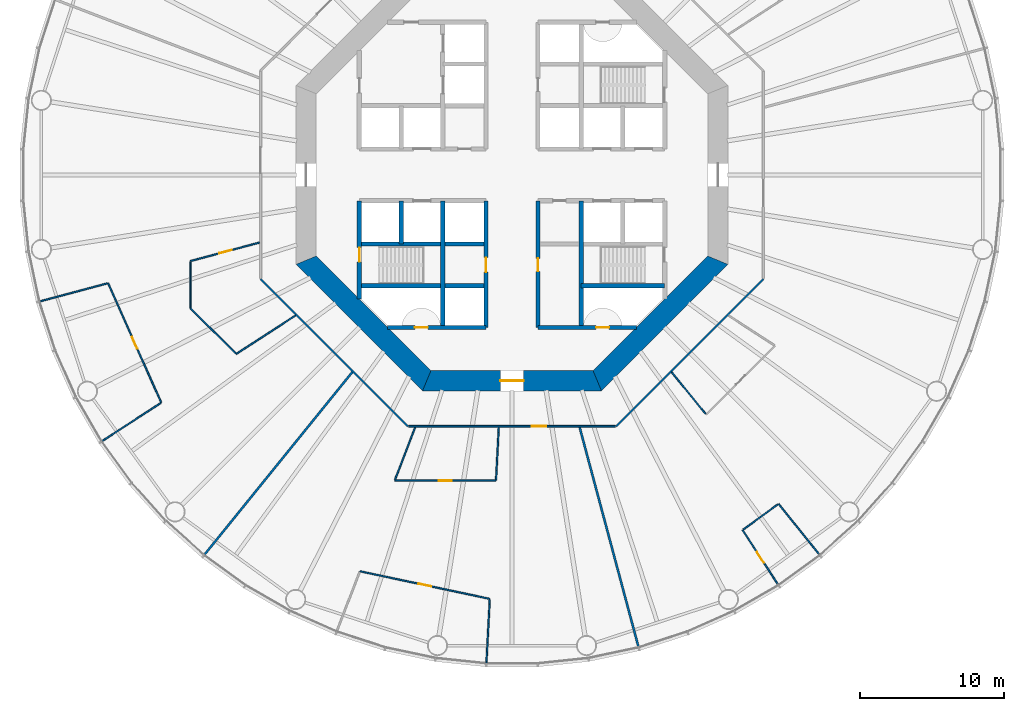
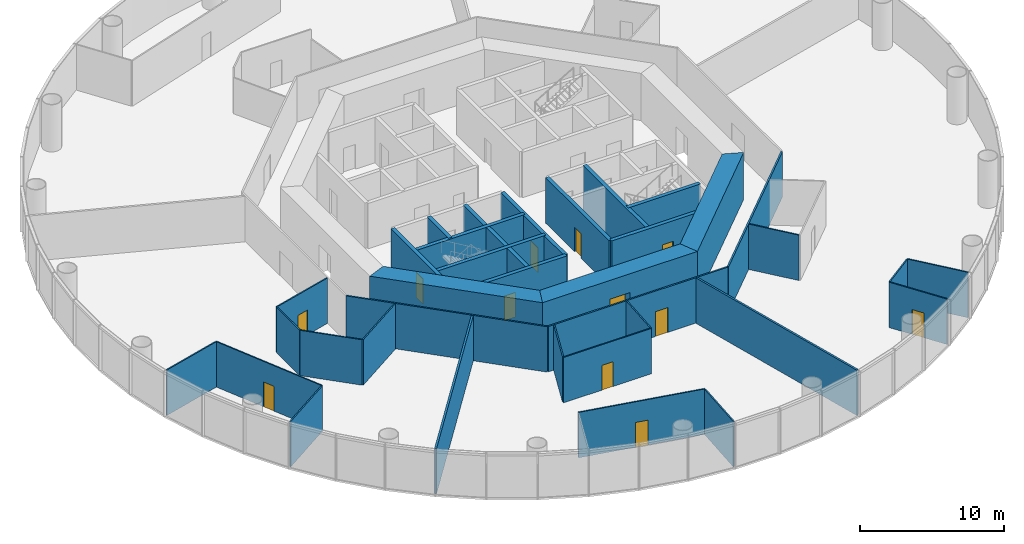
# One storey, part 3 of 13: 35 walls, 12 doors, 12 openings.
"""IFC4 building model written with IfcOpenShell, lengths in metres."""

import ifcopenshell
import ifcopenshell.guid

model = None  # the IFC model being written
_history = None  # IfcOwnerHistory: only IFC2X3 demands one
_inside = {}  # id of a spatial element -> (the spatial element, [elements in it])
_under = {}  # id of a project, library or spatial element -> (it, [spatial elements below it])
_declared = {}  # id of a project -> (the project, [libraries it declares])
_typed = {}  # id of a type object -> (the type object, [elements of that type])
_made_of = {}  # id of a material, layer set ... -> (it, [elements and type objects made of it])


def new_model(schema):
    """Start an empty IFC model of exactly this schema.

    Asked for "IFC4X3", IfcOpenShell would pick the latest addendum, in which some entities
    have other attributes; the version numbers below select the first issue.
    IFC2X3 requires an IfcOwnerHistory on every rooted entity: one is made here for all.
    """
    global model, _history
    if schema == "IFC4X3":
        model = ifcopenshell.file(schema_version=(4, 3, 0, 0))
    else:
        model = ifcopenshell.file(schema=schema)
    _inside.clear()
    _under.clear()
    _declared.clear()
    _typed.clear()
    _made_of.clear()
    _history = None
    if model.schema == "IFC2X3":
        org = make("IfcOrganization", Name="unknown")
        user = make(
            "IfcPersonAndOrganization",
            ThePerson=make("IfcPerson", FamilyName="unknown"),
            TheOrganization=org,
        )
        app = make(
            "IfcApplication",
            ApplicationDeveloper=org,
            Version="unknown",
            ApplicationFullName="unknown",
            ApplicationIdentifier="unknown",
        )
        _history = make(
            "IfcOwnerHistory",
            OwningUser=user,
            OwningApplication=app,
            ChangeAction="ADDED",
            CreationDate=0,
        )
    return model


def make(cls, **values):
    """One entity of the class cls with the attributes given. An attribute that is None is left unset."""
    return model.create_entity(
        cls, **{name: value for name, value in values.items() if value is not None}
    )


def rooted(cls, **values):
    """An entity with a GlobalId (a new one), such as an element, a storey or a relation."""
    return make(cls, GlobalId=ifcopenshell.guid.new(), OwnerHistory=_history, **values)


def si_unit(unit_type, name, prefix=None):
    """IfcSIUnit, for example si_unit("LENGTHUNIT", "METRE", prefix="MILLI")."""
    return make("IfcSIUnit", UnitType=unit_type, Prefix=prefix, Name=name)


def assignment(units):
    """IfcUnitAssignment: the units of a project."""
    return None if units is None else make("IfcUnitAssignment", Units=units)


def point(xyz):
    """IfcCartesianPoint."""
    return None if xyz is None else make("IfcCartesianPoint", Coordinates=xyz)


def direction(xyz):
    """IfcDirection."""
    return None if xyz is None else make("IfcDirection", DirectionRatios=xyz)


def frame(location, z_axis=None, x_axis=None):
    """IfcAxis2Placement3D, a coordinate frame: its origin and axes. An axis left out is left unset."""
    return make(
        "IfcAxis2Placement3D",
        Location=point(location),
        Axis=direction(z_axis),
        RefDirection=direction(x_axis),
    )


def frame_2d(location, x_axis=None):
    """IfcAxis2Placement2D, a coordinate frame in the plane: its origin and x axis."""
    return make(
        "IfcAxis2Placement2D", Location=point(location), RefDirection=direction(x_axis)
    )


def origin():
    """The frame at (0, 0, 0) with its axes left unset."""
    return frame((0.0, 0.0, 0.0))


def place(relative_to, where):
    """IfcLocalPlacement: puts the frame where relative to a parent placement (None: the world)."""
    return make(
        "IfcLocalPlacement", PlacementRelTo=relative_to, RelativePlacement=where
    )


def context(
    kind, dimensions, precision=None, world=None, true_north=None, identifier=None
):
    """IfcGeometricRepresentationContext, for example the 3D "Model" context."""
    return make(
        "IfcGeometricRepresentationContext",
        ContextIdentifier=identifier,
        ContextType=kind,
        CoordinateSpaceDimension=dimensions,
        Precision=precision,
        WorldCoordinateSystem=world,
        TrueNorth=true_north,
    )


def subcontext(parent, identifier, kind, view, scale=None):
    """IfcGeometricRepresentationSubContext, for example "Body" below "Model"."""
    return make(
        "IfcGeometricRepresentationSubContext",
        ContextIdentifier=identifier,
        ContextType=kind,
        ParentContext=parent,
        TargetScale=scale,
        TargetView=view,
    )


def project(units=None, contexts=None):
    """IfcProject with its units and contexts."""
    return rooted(
        "IfcProject",
        Name="project",
        RepresentationContexts=contexts,
        UnitsInContext=assignment(units),
    )


def spatial(cls, under=None, at=None, **own):
    """A site, building, storey or space (cls), placed at a placement, below another one or the project."""
    s = rooted(cls, ObjectPlacement=at, **own)
    if under is not None:
        _under.setdefault(under.id(), (under, []))[1].append(s)
    return s


def polyline(points):
    """IfcPolyline through the points."""
    return make("IfcPolyline", Points=[point(p) for p in points])


def profile(cls, at=None, kind="AREA", **sizes):
    """A parametric profile (cls). Its sizes go by their IFC names, for example OverallWidth=200.0."""
    return make(cls, ProfileType=kind, Position=at, **sizes)


def rectangle(**sizes):
    """IfcRectangleProfileDef."""
    return profile("IfcRectangleProfileDef", **sizes)


def outline(outer, holes=None, kind="AREA"):
    """IfcArbitraryClosedProfileDef: a profile drawn as a closed curve; with holes, ...WithVoids."""
    if holes is None:
        return make("IfcArbitraryClosedProfileDef", ProfileType=kind, OuterCurve=outer)
    return make(
        "IfcArbitraryProfileDefWithVoids",
        ProfileType=kind,
        OuterCurve=outer,
        InnerCurves=holes,
    )


def extrude(swept, where, along, depth):
    """IfcExtrudedAreaSolid: the profile swept, set in the frame where, extruded along a direction by depth."""
    return make(
        "IfcExtrudedAreaSolid",
        SweptArea=swept,
        Position=where,
        ExtrudedDirection=direction(along),
        Depth=depth,
    )


def shape(context_of_items, identifier, shape_type, items):
    """IfcShapeRepresentation: the items that make up one representation, for example the "Body"."""
    return make(
        "IfcShapeRepresentation",
        ContextOfItems=context_of_items,
        RepresentationIdentifier=identifier,
        RepresentationType=shape_type,
        Items=items,
    )


def material(Name=None, Category=None):
    """IfcMaterial."""
    return make("IfcMaterial", Name=Name, Category=Category)


def layer(
    of_material, thickness, ventilated=None, Name=None, Category=None, Priority=None
):
    """IfcMaterialLayer: one layer of a wall or slab, of a material (None: an air gap)."""
    return make(
        "IfcMaterialLayer",
        Material=of_material,
        LayerThickness=thickness,
        IsVentilated=ventilated,
        Name=Name,
        Category=Category,
        Priority=Priority,
    )


def layer_set(layers, Name=None):
    """IfcMaterialLayerSet."""
    return make("IfcMaterialLayerSet", MaterialLayers=layers, LayerSetName=Name)


def made_of(thing, what):
    """Note that an element or type object is made of a material, layer set ...; save() writes the relation."""
    if what is not None:
        _made_of.setdefault(what.id(), (what, []))[1].append(thing)
    return thing


def type_object(cls, material=None, **own):
    """A type object (cls), such as IfcWallType, which elements share."""
    return made_of(rooted(cls, **own), material)


def element(
    cls,
    number,
    at=None,
    inside=None,
    cuts=None,
    type_object=None,
    material=None,
    context=None,
    identifier="Body",
    shape_type=None,
    held_by="IfcProductDefinitionShape",
    body=None,
    shapes=None,
    **own,
):
    """One element of the class cls, such as IfcWall. Its Tag is "e" and its number.

    at: its placement. inside: the storey or other place that contains it. cuts: it is an
    opening in that element (IfcRelVoidsElement). A single representation is given by context,
    identifier, shape_type and body (its items); several are given by shapes. held_by: the class
    of the entity that holds the representations. save() writes the other relations.
    """
    e = rooted(cls, Tag="e%d" % number, ObjectPlacement=at, **own)
    if body is not None:
        shapes = [shape(context, identifier, shape_type, body)]
    if shapes is not None:
        e.Representation = make(held_by, Representations=shapes)
    if inside is not None:
        _inside.setdefault(inside.id(), (inside, []))[1].append(e)
    if cuts is not None:
        rooted(
            "IfcRelVoidsElement", RelatingBuildingElement=cuts, RelatedOpeningElement=e
        )
    if type_object is not None:
        _typed.setdefault(type_object.id(), (type_object, []))[1].append(e)
    return made_of(e, material)


def fill(opening, filler):
    """IfcRelFillsElement: the door or window that sits in an opening."""
    return rooted(
        "IfcRelFillsElement",
        RelatingOpeningElement=opening,
        RelatedBuildingElement=filler,
    )


def aggregate(whole, parts):
    """IfcRelAggregates: a whole, such as a stair, and the parts it consists of."""
    return rooted("IfcRelAggregates", RelatingObject=whole, RelatedObjects=parts)


def save(model, path):
    """Write the relations noted so far, then the file.

    IfcRelAggregates (storeys below a building ...), IfcRelContainedInSpatialStructure (elements
    in a storey), IfcRelDefinesByType, IfcRelAssociatesMaterial and IfcRelDeclares: one each for
    every whole, place, type object, material and project.
    """
    for whole, parts in _under.values():
        aggregate(whole, parts)
    for where, things in _inside.values():
        rooted(
            "IfcRelContainedInSpatialStructure",
            RelatedElements=things,
            RelatingStructure=where,
        )
    for kind, things in _typed.values():
        rooted("IfcRelDefinesByType", RelatedObjects=things, RelatingType=kind)
    for what, things in _made_of.values():
        rooted("IfcRelAssociatesMaterial", RelatedObjects=things, RelatingMaterial=what)
    for by, libraries in _declared.values():
        rooted("IfcRelDeclares", RelatingContext=by, RelatedDefinitions=libraries)
    model.write(path)


model = new_model("IFC4")

# Units and contexts
model_context = context("Model", 3, precision=1e-05, world=origin(), true_north=direction((0.0, 1.0)))
body_context = subcontext(model_context, "Body", "Model", "MODEL_VIEW")
ifc_project = project(units=[si_unit("LENGTHUNIT", "METRE"), si_unit("AREAUNIT", "SQUARE_METRE"), si_unit("VOLUMEUNIT", "CUBIC_METRE"), si_unit("PLANEANGLEUNIT", "RADIAN"), si_unit("MASSUNIT", "GRAM", prefix="KILO")], contexts=[model_context])

# Site, building, storey
site_placement = place(None, origin())
site = spatial("IfcSite", under=ifc_project, at=site_placement, CompositionType="ELEMENT")
building_placement = place(site_placement, origin())
building = spatial("IfcBuilding", under=site, at=building_placement, Name="Entoto Ring Tower", CompositionType="ELEMENT")
storey_placement = place(building_placement, frame((0.0, 0.0, 26.0)))
storey = spatial("IfcBuildingStorey", under=building, at=storey_placement, Name="L04", CompositionType="ELEMENT", Elevation=26.0)

# Wall
ifc_material_1 = material(Name="Concrete C40/50", Category="concrete")
ifc_layer_1 = layer(ifc_material_1, 0.300048828125)
ifc_layer_set_1 = layer_set([ifc_layer_1], Name="Concrete C40/50")
wall_type_1 = type_object("IfcWallType", Name="Core enclosure wall 300 mm reinforced concrete", PredefinedType="SOLIDWALL", material=ifc_layer_set_1)
wall_1_placement = place(storey_placement, frame((94.800048828125, 69.39990234375, 0.0), z_axis=(0.0, 0.0, 1.0), x_axis=(0.0, 1.0, 0.0)))
element("IfcWall", 1, at=wall_1_placement, inside=storey, type_object=wall_type_1, Name="wall-L04-005", PredefinedType="SOLIDWALL", context=body_context, shape_type="SweptSolid", body=[
    extrude(rectangle(XDim=8.800048828125, YDim=0.300048828125, at=frame_2d((4.39990234375, 0.0))), origin(), (0.0, 0.0, 1.0), 3.85009765625),
])

# Wall, opening, door
wall_2_placement = place(storey_placement, frame((91.800048828125, 69.39990234375, 0.0), z_axis=(0.0, 0.0, 1.0), x_axis=(0.0, 1.0, 0.0)))
wall_2 = element("IfcWall", 2, at=wall_2_placement, inside=storey, type_object=wall_type_1, Name="wall-L04-007", PredefinedType="SOLIDWALL", context=body_context, shape_type="SweptSolid", body=[
    extrude(rectangle(XDim=8.800048828125, YDim=0.300048828125, at=frame_2d((4.39990234375, 0.0))), origin(), (0.0, 0.0, 1.0), 3.85009765625),
])
opening_1_placement = place(wall_2_placement, frame((3.89990234375, 0.0, 0.0)))
opening_1 = element("IfcOpeningElement", 3, at=opening_1_placement, cuts=wall_2, Name="Opening K-12", PredefinedType="OPENING", context=body_context, shape_type="SweptSolid", body=[
    extrude(rectangle(XDim=0.89990234375, YDim=2.10009765625, at=frame_2d((0.449951171875, 1.050048828125))), frame((0.0, 0.16015625, 0.0), z_axis=(0.0, -1.0, 0.0), x_axis=(1.0, 0.0, 0.0)), (0.0, 0.0, 1.0), 0.320068359375),
])
ifc_material_2 = material(Name="Steel door leaf, fire rated", Category="steel")
ifc_layer_2 = layer(ifc_material_2, 0.050048828125)
ifc_layer_set_2 = layer_set([ifc_layer_2], Name="Steel door leaf, fire rated")
door_type_1 = type_object("IfcDoorType", Name="Core door 900 x 2100 single leaf", OperationType="NOTDEFINED", PredefinedType="DOOR", material=ifc_layer_set_2)
door_1_placement = place(opening_1_placement, frame((0.89990234375, 0.0, 0.0), z_axis=(0.0, 0.0, 1.0), x_axis=(-1.0, 0.0, 0.0)))
door_1 = element("IfcDoor", 4, at=door_1_placement, inside=storey, type_object=door_type_1, Name="Door K-12", OperationType="SINGLE_SWING_LEFT", OverallHeight=2.10009765625, OverallWidth=0.89990234375, PredefinedType="DOOR", context=body_context, shape_type="SweptSolid", body=[
    extrude(rectangle(XDim=0.89990234375, YDim=2.10009765625, at=frame_2d((0.449951171875, 1.050048828125))), frame((0.0, 0.02490234375, 0.0), z_axis=(0.0, -1.0, 0.0), x_axis=(1.0, 0.0, 0.0)), (0.0, 0.0, 1.0), 0.050048828125),
])
fill(opening_1, door_1)

wall_3_placement = place(storey_placement, frame((88.199951171875, 69.39990234375, 0.0), z_axis=(0.0, 0.0, 1.0), x_axis=(0.0, 1.0, 0.0)))
wall_3 = element("IfcWall", 5, at=wall_3_placement, inside=storey, type_object=wall_type_1, Name="wall-L04-009", PredefinedType="SOLIDWALL", context=body_context, shape_type="SweptSolid", body=[
    extrude(rectangle(XDim=8.800048828125, YDim=0.300048828125, at=frame_2d((4.39990234375, 0.0))), origin(), (0.0, 0.0, 1.0), 3.85009765625),
])
opening_2_placement = place(wall_3_placement, frame((3.85009765625, 0.0, 0.0)))
opening_2 = element("IfcOpeningElement", 6, at=opening_2_placement, cuts=wall_3, Name="Opening K-13", PredefinedType="OPENING", context=body_context, shape_type="SweptSolid", body=[
    extrude(rectangle(XDim=1.0, YDim=2.10009765625, at=frame_2d((0.5, 1.050048828125))), frame((0.0, 0.16015625, 0.0), z_axis=(0.0, -1.0, 0.0), x_axis=(1.0, 0.0, 0.0)), (0.0, 0.0, 1.0), 0.320068359375),
])
ifc_material_3 = material(Name="Steel door leaf, fire rated", Category="steel")
ifc_layer_3 = layer(ifc_material_3, 0.050048828125)
ifc_layer_set_3 = layer_set([ifc_layer_3], Name="Steel door leaf, fire rated")
door_type_2 = type_object("IfcDoorType", Name="Accessible door 1000 x 2100 single leaf", OperationType="NOTDEFINED", PredefinedType="DOOR", material=ifc_layer_set_3)
door_2_placement = place(opening_2_placement, origin())
door_2 = element("IfcDoor", 7, at=door_2_placement, inside=storey, type_object=door_type_2, Name="Door K-13", OperationType="SINGLE_SWING_LEFT", OverallHeight=2.10009765625, OverallWidth=1.0, PredefinedType="DOOR", context=body_context, shape_type="SweptSolid", body=[
    extrude(rectangle(XDim=1.0, YDim=2.10009765625, at=frame_2d((0.5, 1.050048828125))), frame((0.0, 0.02490234375, 0.0), z_axis=(0.0, -1.0, 0.0), x_axis=(1.0, 0.0, 0.0)), (0.0, 0.0, 1.0), 0.050048828125),
])
fill(opening_2, door_2)

# Walls
wall_4_placement = place(storey_placement, frame((85.199951171875, 69.39990234375, 0.0), z_axis=(0.0, 0.0, 1.0), x_axis=(0.0, 1.0, 0.0)))
element("IfcWall", 8, at=wall_4_placement, inside=storey, type_object=wall_type_1, Name="wall-L04-011", PredefinedType="SOLIDWALL", context=body_context, shape_type="SweptSolid", body=[
    extrude(rectangle(XDim=8.800048828125, YDim=0.300048828125, at=frame_2d((4.39990234375, 0.0))), origin(), (0.0, 0.0, 1.0), 3.85009765625),
])
wall_5_placement = place(storey_placement, frame((82.300048828125, 75.199951171875, 0.0), z_axis=(0.0, 0.0, 1.0), x_axis=(0.0, 1.0, 0.0)))
element("IfcWall", 9, at=wall_5_placement, inside=storey, type_object=wall_type_1, Name="wall-L04-013", PredefinedType="SOLIDWALL", context=body_context, shape_type="SweptSolid", body=[
    extrude(rectangle(XDim=3.0, YDim=0.300048828125, at=frame_2d((1.5, 0.0))), origin(), (0.0, 0.0, 1.0), 3.85009765625),
])

# Wall, opening, door
wall_6_placement = place(storey_placement, frame((79.39990234375, 71.36669921875, 0.0), z_axis=(0.0, 0.0, 1.0), x_axis=(0.0, 1.0, 0.0)))
wall_6 = element("IfcWall", 10, at=wall_6_placement, inside=storey, type_object=wall_type_1, Name="wall-L04-015", PredefinedType="SOLIDWALL", context=body_context, shape_type="SweptSolid", body=[
    extrude(rectangle(XDim=6.833251953125, YDim=0.300048828125, at=frame_2d((3.41650390625, 0.0))), origin(), (0.0, 0.0, 1.0), 3.85009765625),
])
opening_3_placement = place(wall_6_placement, frame((2.583251953125, 0.0, 0.0)))
opening_3 = element("IfcOpeningElement", 11, at=opening_3_placement, cuts=wall_6, Name="Opening K-17", PredefinedType="OPENING", context=body_context, shape_type="SweptSolid", body=[
    extrude(rectangle(XDim=1.0, YDim=2.10009765625, at=frame_2d((0.5, 1.050048828125))), frame((0.0, 0.16015625, 0.0), z_axis=(0.0, -1.0, 0.0), x_axis=(1.0, 0.0, 0.0)), (0.0, 0.0, 1.0), 0.320068359375),
])
ifc_material_4 = material(Name="Steel door leaf, fire rated", Category="steel")
ifc_layer_4 = layer(ifc_material_4, 0.050048828125)
ifc_layer_set_4 = layer_set([ifc_layer_4], Name="Steel door leaf, fire rated")
door_type_3 = type_object("IfcDoorType", Name="Fire door FD60 1000 x 2100 single leaf", OperationType="NOTDEFINED", PredefinedType="DOOR", material=ifc_layer_set_4)
door_3_placement = place(opening_3_placement, frame((1.0, 0.0, 0.0), z_axis=(0.0, 0.0, 1.0), x_axis=(-1.0, 0.0, 0.0)))
door_3 = element("IfcDoor", 12, at=door_3_placement, inside=storey, type_object=door_type_3, Name="Door K-17", OperationType="SINGLE_SWING_LEFT", OverallHeight=2.10009765625, OverallWidth=1.0, PredefinedType="DOOR", context=body_context, shape_type="SweptSolid", body=[
    extrude(rectangle(XDim=1.0, YDim=2.10009765625, at=frame_2d((0.5, 1.050048828125))), frame((0.0, 0.02490234375, 0.0), z_axis=(0.0, -1.0, 0.0), x_axis=(1.0, 0.0, 0.0)), (0.0, 0.0, 1.0), 0.050048828125),
])
fill(opening_3, door_3)

wall_7_placement = place(storey_placement, frame((81.36669921875, 69.39990234375, 0.0), z_axis=(0.0, 0.0, 1.0), x_axis=(1.0, 0.0, 0.0)))
wall_7 = element("IfcWall", 13, at=wall_7_placement, inside=storey, type_object=wall_type_1, Name="wall-L04-017", PredefinedType="SOLIDWALL", context=body_context, shape_type="SweptSolid", body=[
    extrude(rectangle(XDim=6.833251953125, YDim=0.300048828125, at=frame_2d((3.41650390625, 0.0))), origin(), (0.0, 0.0, 1.0), 3.85009765625),
])
opening_4_placement = place(wall_7_placement, frame((1.88330078125, 0.0, 0.0)))
opening_4 = element("IfcOpeningElement", 14, at=opening_4_placement, cuts=wall_7, Name="Opening K-20", PredefinedType="OPENING", context=body_context, shape_type="SweptSolid", body=[
    extrude(rectangle(XDim=0.89990234375, YDim=2.10009765625, at=frame_2d((0.449951171875, 1.050048828125))), frame((0.0, 0.16015625, 0.0), z_axis=(0.0, -1.0, 0.0), x_axis=(1.0, 0.0, 0.0)), (0.0, 0.0, 1.0), 0.320068359375),
])
ifc_material_5 = material(Name="Steel door leaf, fire rated", Category="steel")
ifc_layer_5 = layer(ifc_material_5, 0.050048828125)
ifc_layer_set_5 = layer_set([ifc_layer_5], Name="Steel door leaf, fire rated")
door_type_4 = type_object("IfcDoorType", Name="Riser door FD60 900 x 2100 single leaf", OperationType="NOTDEFINED", PredefinedType="DOOR", material=ifc_layer_set_5)
door_4_placement = place(opening_4_placement, origin())
door_4 = element("IfcDoor", 15, at=door_4_placement, inside=storey, type_object=door_type_4, Name="Door K-20", OperationType="SINGLE_SWING_RIGHT", OverallHeight=2.10009765625, OverallWidth=0.89990234375, PredefinedType="DOOR", context=body_context, shape_type="SweptSolid", body=[
    extrude(rectangle(XDim=0.89990234375, YDim=2.10009765625, at=frame_2d((0.449951171875, 1.050048828125))), frame((0.0, 0.02490234375, 0.0), z_axis=(0.0, -1.0, 0.0), x_axis=(1.0, 0.0, 0.0)), (0.0, 0.0, 1.0), 0.050048828125),
])
fill(opening_4, door_4)

wall_8_placement = place(storey_placement, frame((91.800048828125, 69.39990234375, 0.0), z_axis=(0.0, 0.0, 1.0), x_axis=(1.0, 0.0, 0.0)))
wall_8 = element("IfcWall", 16, at=wall_8_placement, inside=storey, type_object=wall_type_1, Name="wall-L04-018", PredefinedType="SOLIDWALL", context=body_context, shape_type="SweptSolid", body=[
    extrude(rectangle(XDim=6.833251953125, YDim=0.300048828125, at=frame_2d((3.41650390625, 0.0))), origin(), (0.0, 0.0, 1.0), 3.85009765625),
])
opening_5_placement = place(wall_8_placement, frame((4.050048828125, 0.0, 0.0)))
opening_5 = element("IfcOpeningElement", 17, at=opening_5_placement, cuts=wall_8, Name="Opening K-66", PredefinedType="OPENING", context=body_context, shape_type="SweptSolid", body=[
    extrude(rectangle(XDim=0.89990234375, YDim=2.10009765625, at=frame_2d((0.449951171875, 1.050048828125))), frame((0.0, 0.16015625, 0.0), z_axis=(0.0, -1.0, 0.0), x_axis=(1.0, 0.0, 0.0)), (0.0, 0.0, 1.0), 0.320068359375),
])
door_5_placement = place(opening_5_placement, origin())
door_5 = element("IfcDoor", 18, at=door_5_placement, inside=storey, type_object=door_type_4, Name="Door K-66", OperationType="SINGLE_SWING_LEFT", OverallHeight=2.10009765625, OverallWidth=0.89990234375, PredefinedType="DOOR", context=body_context, shape_type="SweptSolid", body=[
    extrude(rectangle(XDim=0.89990234375, YDim=2.10009765625, at=frame_2d((0.449951171875, 1.050048828125))), frame((0.0, 0.02490234375, 0.0), z_axis=(0.0, -1.0, 0.0), x_axis=(1.0, 0.0, 0.0)), (0.0, 0.0, 1.0), 0.050048828125),
])
fill(opening_5, door_5)

# Walls
wall_9_placement = place(storey_placement, frame((79.39990234375, 72.300048828125, 0.0), z_axis=(0.0, 0.0, 1.0), x_axis=(1.0, 0.0, 0.0)))
element("IfcWall", 19, at=wall_9_placement, inside=storey, type_object=wall_type_1, Name="wall-L04-019", PredefinedType="SOLIDWALL", context=body_context, shape_type="SweptSolid", body=[
    extrude(rectangle(XDim=8.800048828125, YDim=0.300048828125, at=frame_2d((4.39990234375, 0.0))), origin(), (0.0, 0.0, 1.0), 3.85009765625),
])
wall_10_placement = place(storey_placement, frame((94.800048828125, 72.300048828125, 0.0), z_axis=(0.0, 0.0, 1.0), x_axis=(1.0, 0.0, 0.0)))
element("IfcWall", 20, at=wall_10_placement, inside=storey, type_object=wall_type_1, Name="wall-L04-020", PredefinedType="SOLIDWALL", context=body_context, shape_type="SweptSolid", body=[
    extrude(rectangle(XDim=5.800048828125, YDim=0.300048828125, at=frame_2d((2.89990234375, 0.0))), origin(), (0.0, 0.0, 1.0), 3.85009765625),
])
wall_11_placement = place(storey_placement, frame((79.39990234375, 75.199951171875, 0.0), z_axis=(0.0, 0.0, 1.0), x_axis=(1.0, 0.0, 0.0)))
element("IfcWall", 21, at=wall_11_placement, inside=storey, type_object=wall_type_1, Name="wall-L04-021", PredefinedType="SOLIDWALL", context=body_context, shape_type="SweptSolid", body=[
    extrude(rectangle(XDim=8.800048828125, YDim=0.300048828125, at=frame_2d((4.39990234375, 0.0))), origin(), (0.0, 0.0, 1.0), 3.85009765625),
])
ifc_material_6 = material(Name="Concrete C60/75", Category="concrete")
ifc_layer_6 = layer(ifc_material_6, 1.39990234375)
ifc_layer_set_6 = layer_set([ifc_layer_6], Name="Concrete C60/75")
wall_type_2 = type_object("IfcWallType", Name="Core shear wall 1400 mm reinforced concrete C60/75", PredefinedType="SHEAR", material=ifc_layer_set_6)
wall_12_placement = place(storey_placement, frame((75.699951171875, 74.07666015625, 0.0), z_axis=(0.0, 0.0, 1.0), x_axis=(0.707106781187, -0.707106781187, 0.0)))
element("IfcWall", 22, at=wall_12_placement, inside=storey, type_object=wall_type_2, Name="wall-L04-core-5", PredefinedType="SHEAR", context=body_context, shape_type="SweptSolid", body=[
    extrude(outline(polyline([(-0.2900390625, -0.699951171875), (12.136474609375, -0.699951171875), (11.556396484375, 0.699951171875), (0.2900390625, 0.699951171875), (-0.2900390625, -0.699951171875)])), origin(), (0.0, 0.0, 1.0), 4.0),
])

# Wall, opening, door
wall_13_placement = place(storey_placement, frame((84.07666015625, 65.699951171875, 0.0), z_axis=(0.0, 0.0, 1.0), x_axis=(1.0, 0.0, 0.0)))
wall_13 = element("IfcWall", 23, at=wall_13_placement, inside=storey, type_object=wall_type_2, Name="wall-L04-core-6", PredefinedType="SHEAR", context=body_context, shape_type="SweptSolid", body=[
    extrude(outline(polyline([(-0.2900390625, -0.699951171875), (12.13671875, -0.699951171875), (11.556640625, 0.699951171875), (0.2900390625, 0.699951171875), (-0.2900390625, -0.699951171875)])), origin(), (0.0, 0.0, 1.0), 4.0),
])
opening_6_placement = place(wall_13_placement, frame((5.123291015625, 0.0, 0.0)))
opening_6 = element("IfcOpeningElement", 24, at=opening_6_placement, cuts=wall_13, Name="Opening K-04", PredefinedType="OPENING", context=body_context, shape_type="SweptSolid", body=[
    extrude(rectangle(XDim=1.60009765625, YDim=2.39990234375, at=frame_2d((0.800048828125, 1.199951171875))), frame((0.0, 0.7099609375, 0.0), z_axis=(0.0, -1.0, 0.0), x_axis=(1.0, 0.0, 0.0)), (0.0, 0.0, 1.0), 1.419921875),
])
ifc_material_7 = material(Name="Steel door leaf, fire rated", Category="steel")
ifc_layer_7 = layer(ifc_material_7, 0.050048828125)
ifc_layer_set_7 = layer_set([ifc_layer_7], Name="Steel door leaf, fire rated")
door_type_5 = type_object("IfcDoorType", Name="Entrance door FD60 1600 x 2400 double leaf", OperationType="DOUBLE_DOOR_SINGLE_SWING", PredefinedType="DOOR", material=ifc_layer_set_7)
door_6_placement = place(opening_6_placement, origin())
door_6 = element("IfcDoor", 25, at=door_6_placement, inside=storey, type_object=door_type_5, Name="Entrance door K-04", OperationType="DOUBLE_DOOR_SINGLE_SWING", OverallHeight=2.39990234375, OverallWidth=1.60009765625, PredefinedType="DOOR", context=body_context, shape_type="SweptSolid", body=[
    extrude(rectangle(XDim=1.60009765625, YDim=2.39990234375, at=frame_2d((0.800048828125, 1.199951171875))), frame((0.0, 0.02490234375, 0.0), z_axis=(0.0, -1.0, 0.0), x_axis=(1.0, 0.0, 0.0)), (0.0, 0.0, 1.0), 0.050048828125),
])
fill(opening_6, door_6)

# Walls
wall_14_placement = place(storey_placement, frame((95.92333984375, 65.699951171875, 0.0), z_axis=(0.0, 0.0, 1.0), x_axis=(0.707106781187, 0.707106781187, 0.0)))
element("IfcWall", 26, at=wall_14_placement, inside=storey, type_object=wall_type_2, Name="wall-L04-core-7", PredefinedType="SHEAR", context=body_context, shape_type="SweptSolid", body=[
    extrude(outline(polyline([(-0.2900390625, -0.699951171875), (12.136474609375, -0.699951171875), (11.556396484375, 0.699951171875), (0.2900390625, 0.699951171875), (-0.2900390625, -0.699951171875)])), origin(), (0.0, 0.0, 1.0), 4.0),
])
ifc_material_8 = material(Name="Fire-resisting plasterboard on steel studs", Category="steel")
ifc_layer_8 = layer(ifc_material_8, 0.125)
ifc_layer_set_8 = layer_set([ifc_layer_8], Name="Fire-resisting plasterboard on steel studs")
wall_type_3 = type_object("IfcWallType", Name="Corridor wall 125 mm one-hour plasterboard on steel studs", PredefinedType="PARTITIONING", material=ifc_layer_set_8)
for number, where, z_axis, x_axis, name in (
    (27, (82.766845703125, 62.53759765625, 0.0), (0.0, 0.0, 1.0), (-0.707106781187, 0.707106781187, 0.0), "partition-L04-002"),
    (28, (97.233154296875, 62.53759765625, 0.0), (0.0, 0.0, 1.0), (0.707106781187, 0.707106781187, 0.0), "partition-L04-003"),
):
    element("IfcWall", number, at=place(storey_placement, frame(where, z_axis=z_axis, x_axis=x_axis)), inside=storey, type_object=wall_type_3, Name=name, PredefinedType="PARTITIONING", context=body_context, shape_type="SweptSolid", body=[
        extrude(rectangle(XDim=14.46630859375, YDim=0.125, at=frame_2d((7.233154296875, 0.0))), origin(), (0.0, 0.0, 1.0), 3.85009765625),
    ])

# Wall, opening, door
wall_15_placement = place(storey_placement, frame((82.810791015625, 62.53759765625, 0.0), z_axis=(0.0, 0.0, 1.0), x_axis=(1.0, 0.0, 0.0)))
wall_15 = element("IfcWall", 29, at=wall_15_placement, inside=storey, type_object=wall_type_3, Name="partition-L04-006", PredefinedType="PARTITIONING", context=body_context, shape_type="SweptSolid", body=[
    extrude(rectangle(XDim=14.37841796875, YDim=0.125, at=frame_2d((7.189208984375, 0.0))), origin(), (0.0, 0.0, 1.0), 3.85009765625),
])
opening_7_placement = place(wall_15_placement, frame((8.5712890625, 0.0, 0.0)))
opening_7 = element("IfcOpeningElement", 30, at=opening_7_placement, cuts=wall_15, Name="Opening A02-D08", PredefinedType="OPENING", context=body_context, shape_type="SweptSolid", body=[
    extrude(rectangle(XDim=1.0, YDim=2.10009765625, at=frame_2d((0.5, 1.050048828125))), frame((0.0, 0.072509765625, 0.0), z_axis=(0.0, -1.0, 0.0), x_axis=(1.0, 0.0, 0.0)), (0.0, 0.0, 1.0), 0.14501953125),
])
ifc_material_9 = material(Name="Fire-resisting timber door set", Category="wood")
door_type_6 = type_object("IfcDoorType", Name="Door 1000 x 2100 single leaf FD30S fire door", OperationType="NOTDEFINED", PredefinedType="DOOR", material=ifc_material_9)
door_7_placement = place(opening_7_placement, frame((1.0, 0.0, 0.0), z_axis=(0.0, 0.0, 1.0), x_axis=(-1.0, 0.0, 0.0)))
door_7 = element("IfcDoor", 31, at=door_7_placement, inside=storey, type_object=door_type_6, Name="Door A02-D08", OperationType="SINGLE_SWING_RIGHT", OverallHeight=2.10009765625, OverallWidth=1.0, PredefinedType="DOOR", context=body_context, shape_type="SweptSolid", body=[
    extrude(rectangle(XDim=1.0, YDim=2.10009765625, at=frame_2d((0.5, 1.050048828125))), frame((0.0, 0.02490234375, 0.0), z_axis=(0.0, -1.0, 0.0), x_axis=(1.0, 0.0, 0.0)), (0.0, 0.0, 1.0), 0.050048828125),
])
fill(opening_7, door_7)

ifc_material_10 = material(Name="Plasterboard on steel studs", Category="steel")
ifc_layer_9 = layer(ifc_material_10, 0.10009765625)
ifc_layer_set_9 = layer_set([ifc_layer_9], Name="Plasterboard on steel studs")
wall_type_4 = type_object("IfcWallType", Name="Partition 100 mm plasterboard on steel studs", PredefinedType="PARTITIONING", material=ifc_layer_set_9)
wall_16_placement = place(storey_placement, frame((88.45654296875, 50.55029296875, 0.0), z_axis=(0.0, 0.0, 1.0), x_axis=(-0.978144188125, 0.207927745233, 0.0)))
wall_16 = element("IfcWall", 32, at=wall_16_placement, inside=storey, type_object=wall_type_4, Name="partition-L04-015", PredefinedType="PARTITIONING", context=body_context, shape_type="SweptSolid", body=[
    extrude(rectangle(XDim=9.2265625, YDim=0.10009765625, at=frame_2d((4.61328125, 0.0))), origin(), (0.0, 0.0, 1.0), 3.85009765625),
])
opening_8_placement = place(wall_16_placement, frame((4.163330078125, 0.0, 0.0)))
opening_8 = element("IfcOpeningElement", 33, at=opening_8_placement, cuts=wall_16, Name="Opening A02-D10", PredefinedType="OPENING", context=body_context, shape_type="SweptSolid", body=[
    extrude(rectangle(XDim=0.89990234375, YDim=2.10009765625, at=frame_2d((0.449951171875, 1.050048828125))), frame((0.0, 0.06005859375, 0.0), z_axis=(0.0, -1.0, 0.0), x_axis=(1.0, 0.0, 0.0)), (0.0, 0.0, 1.0), 0.1201171875),
])
ifc_material_11 = material(Name="Veneered timber door leaf in timber frame", Category="wood")
door_type_7 = type_object("IfcDoorType", Name="Door 900 x 2100 single leaf timber veneer", OperationType="NOTDEFINED", PredefinedType="DOOR", material=ifc_material_11)
door_8_placement = place(opening_8_placement, origin())
door_8 = element("IfcDoor", 34, at=door_8_placement, inside=storey, type_object=door_type_7, Name="Door A02-D10", OperationType="SINGLE_SWING_RIGHT", OverallHeight=2.10009765625, OverallWidth=0.89990234375, PredefinedType="DOOR", context=body_context, shape_type="SweptSolid", body=[
    extrude(rectangle(XDim=0.89990234375, YDim=2.10009765625, at=frame_2d((0.449951171875, 1.050048828125))), frame((0.0, 0.02490234375, 0.0), z_axis=(0.0, -1.0, 0.0), x_axis=(1.0, 0.0, 0.0)), (0.0, 0.0, 1.0), 0.050048828125),
])
fill(opening_8, door_8)

wall_17_placement = place(storey_placement, frame((65.63671875, 64.17822265625, 0.0), z_axis=(0.0, 0.0, 1.0), x_axis=(-0.406741522139, 0.913543285328, 0.0)))
wall_17 = element("IfcWall", 35, at=wall_17_placement, inside=storey, type_object=wall_type_4, Name="partition-L04-016", PredefinedType="PARTITIONING", context=body_context, shape_type="SweptSolid", body=[
    extrude(rectangle(XDim=9.0888671875, YDim=0.10009765625, at=frame_2d((4.54443359375, 0.0))), origin(), (0.0, 0.0, 1.0), 3.85009765625),
])
opening_9_placement = place(wall_17_placement, frame((4.094482421875, 0.0, 0.0)))
opening_9 = element("IfcOpeningElement", 36, at=opening_9_placement, cuts=wall_17, Name="Opening A02-D07", PredefinedType="OPENING", context=body_context, shape_type="SweptSolid", body=[
    extrude(rectangle(XDim=0.89990234375, YDim=2.10009765625, at=frame_2d((0.449951171875, 1.050048828125))), frame((0.0, 0.06005859375, 0.0), z_axis=(0.0, -1.0, 0.0), x_axis=(1.0, 0.0, 0.0)), (0.0, 0.0, 1.0), 0.1201171875),
])
door_9_placement = place(opening_9_placement, origin())
door_9 = element("IfcDoor", 37, at=door_9_placement, inside=storey, type_object=door_type_7, Name="Door A02-D07", OperationType="SINGLE_SWING_LEFT", OverallHeight=2.10009765625, OverallWidth=0.89990234375, PredefinedType="DOOR", context=body_context, shape_type="SweptSolid", body=[
    extrude(rectangle(XDim=0.89990234375, YDim=2.10009765625, at=frame_2d((0.449951171875, 1.050048828125))), frame((0.0, 0.02490234375, 0.0), z_axis=(0.0, -1.0, 0.0), x_axis=(1.0, 0.0, 0.0)), (0.0, 0.0, 1.0), 0.050048828125),
])
fill(opening_9, door_9)

wall_18_placement = place(storey_placement, frame((81.845703125, 58.757568359375, 0.0), z_axis=(0.0, 0.0, 1.0), x_axis=(1.0, 0.0, 0.0)))
wall_18 = element("IfcWall", 38, at=wall_18_placement, inside=storey, type_object=wall_type_4, Name="partition-L04-017", PredefinedType="PARTITIONING", context=body_context, shape_type="SweptSolid", body=[
    extrude(rectangle(XDim=7.041015625, YDim=0.10009765625, at=frame_2d((3.5205078125, 0.0))), origin(), (0.0, 0.0, 1.0), 3.85009765625),
])
opening_10_placement = place(wall_18_placement, frame((3.070556640625, 0.0, 0.0)))
opening_10 = element("IfcOpeningElement", 39, at=opening_10_placement, cuts=wall_18, Name="Opening A02-D09", PredefinedType="OPENING", context=body_context, shape_type="SweptSolid", body=[
    extrude(rectangle(XDim=0.89990234375, YDim=2.10009765625, at=frame_2d((0.449951171875, 1.050048828125))), frame((0.0, 0.06005859375, 0.0), z_axis=(0.0, -1.0, 0.0), x_axis=(1.0, 0.0, 0.0)), (0.0, 0.0, 1.0), 0.1201171875),
])
door_10_placement = place(opening_10_placement, origin())
door_10 = element("IfcDoor", 40, at=door_10_placement, inside=storey, type_object=door_type_7, Name="Door A02-D09", OperationType="SINGLE_SWING_LEFT", OverallHeight=2.10009765625, OverallWidth=0.89990234375, PredefinedType="DOOR", context=body_context, shape_type="SweptSolid", body=[
    extrude(rectangle(XDim=0.89990234375, YDim=2.10009765625, at=frame_2d((0.449951171875, 1.050048828125))), frame((0.0, 0.02490234375, 0.0), z_axis=(0.0, -1.0, 0.0), x_axis=(1.0, 0.0, 0.0)), (0.0, 0.0, 1.0), 0.050048828125),
])
fill(opening_10, door_10)

wall_19_placement = place(storey_placement, frame((67.66748046875, 74.01611328125, 0.0), z_axis=(0.0, 0.0, 1.0), x_axis=(0.965928951755, 0.258807380423, 0.0)))
wall_19 = element("IfcWall", 41, at=wall_19_placement, inside=storey, type_object=wall_type_4, Name="partition-L04-020", PredefinedType="PARTITIONING", context=body_context, shape_type="SweptSolid", body=[
    extrude(rectangle(XDim=4.9638671875, YDim=0.10009765625, at=frame_2d((2.48193359375, 0.0))), origin(), (0.0, 0.0, 1.0), 3.85009765625),
])
opening_11_placement = place(wall_19_placement, frame((2.07080078125, 0.0, 0.0)))
opening_11 = element("IfcOpeningElement", 42, at=opening_11_placement, cuts=wall_19, Name="Opening A02-D06", PredefinedType="OPENING", context=body_context, shape_type="SweptSolid", body=[
    extrude(rectangle(XDim=0.89990234375, YDim=2.10009765625, at=frame_2d((0.449951171875, 1.050048828125))), frame((0.0, 0.06005859375, 0.0), z_axis=(0.0, -1.0, 0.0), x_axis=(1.0, 0.0, 0.0)), (0.0, 0.0, 1.0), 0.1201171875),
])
door_11_placement = place(opening_11_placement, frame((0.89990234375, 0.0, 0.0), z_axis=(0.0, 0.0, 1.0), x_axis=(-1.0, 0.0, 0.0)))
door_11 = element("IfcDoor", 43, at=door_11_placement, inside=storey, type_object=door_type_7, Name="Door A02-D06", OperationType="SINGLE_SWING_LEFT", OverallHeight=2.10009765625, OverallWidth=0.89990234375, PredefinedType="DOOR", context=body_context, shape_type="SweptSolid", body=[
    extrude(rectangle(XDim=0.89990234375, YDim=2.10009765625, at=frame_2d((0.449951171875, 1.050048828125))), frame((0.0, 0.02490234375, 0.0), z_axis=(0.0, -1.0, 0.0), x_axis=(1.0, 0.0, 0.0)), (0.0, 0.0, 1.0), 0.050048828125),
])
fill(opening_11, door_11)

# Walls
wall_20_placement = place(storey_placement, frame((70.85205078125, 67.565185546875, 0.0), z_axis=(0.0, 0.0, 1.0), x_axis=(0.83868352276, 0.544619085831, 0.0)))
element("IfcWall", 44, at=wall_20_placement, inside=storey, type_object=wall_type_4, Name="partition-L04-021", PredefinedType="PARTITIONING", context=body_context, shape_type="SweptSolid", body=[
    extrude(rectangle(XDim=4.904052734375, YDim=0.10009765625, at=frame_2d((2.4521484375, 0.0))), origin(), (0.0, 0.0, 1.0), 3.85009765625),
])
wall_21_placement = place(storey_placement, frame((57.216552734375, 71.2158203125, 0.0), z_axis=(0.0, 0.0, 1.0), x_axis=(0.965932067473, 0.258795751564, 0.0)))
element("IfcWall", 45, at=wall_21_placement, inside=storey, type_object=wall_type_4, Name="partition-L04-022", PredefinedType="PARTITIONING", context=body_context, shape_type="SweptSolid", body=[
    extrude(rectangle(XDim=4.84033203125, YDim=0.10009765625, at=frame_2d((2.420166015625, 0.0))), origin(), (0.0, 0.0, 1.0), 3.85009765625),
])
wall_22_placement = place(storey_placement, frame((61.535400390625, 61.514892578125, 0.0), z_axis=(0.0, 0.0, 1.0), x_axis=(0.838670541851, 0.544639075197, 0.0)))
element("IfcWall", 46, at=wall_22_placement, inside=storey, type_object=wall_type_4, Name="partition-L04-023", PredefinedType="PARTITIONING", context=body_context, shape_type="SweptSolid", body=[
    extrude(rectangle(XDim=4.8408203125, YDim=0.10009765625, at=frame_2d((2.42041015625, 0.0))), origin(), (0.0, 0.0, 1.0), 3.85009765625),
])

# Wall, opening, door
wall_23_placement = place(storey_placement, frame((108.485107421875, 51.535400390625, 0.0), z_axis=(0.0, 0.0, 1.0), x_axis=(-0.544635965926, 0.838672561027, 0.0)))
wall_23 = element("IfcWall", 47, at=wall_23_placement, inside=storey, type_object=wall_type_4, Name="partition-L04-028", PredefinedType="PARTITIONING", context=body_context, shape_type="SweptSolid", body=[
    extrude(rectangle(XDim=4.5302734375, YDim=0.10009765625, at=frame_2d((2.26513671875, 0.0))), origin(), (0.0, 0.0, 1.0), 3.85009765625),
])
opening_12_placement = place(wall_23_placement, frame((1.81494140625, 0.0, 0.0)))
opening_12 = element("IfcOpeningElement", 48, at=opening_12_placement, cuts=wall_23, Name="Opening A02-D13", PredefinedType="OPENING", context=body_context, shape_type="SweptSolid", body=[
    extrude(rectangle(XDim=0.89990234375, YDim=2.10009765625, at=frame_2d((0.449951171875, 1.050048828125))), frame((0.0, 0.06005859375, 0.0), z_axis=(0.0, -1.0, 0.0), x_axis=(1.0, 0.0, 0.0)), (0.0, 0.0, 1.0), 0.1201171875),
])
door_12_placement = place(opening_12_placement, frame((0.89990234375, 0.0, 0.0), z_axis=(0.0, 0.0, 1.0), x_axis=(-1.0, 0.0, 0.0)))
door_12 = element("IfcDoor", 49, at=door_12_placement, inside=storey, type_object=door_type_7, Name="Door A02-D13", OperationType="SINGLE_SWING_RIGHT", OverallHeight=2.10009765625, OverallWidth=0.89990234375, PredefinedType="DOOR", context=body_context, shape_type="SweptSolid", body=[
    extrude(rectangle(XDim=0.89990234375, YDim=2.10009765625, at=frame_2d((0.449951171875, 1.050048828125))), frame((0.0, 0.02490234375, 0.0), z_axis=(0.0, -1.0, 0.0), x_axis=(1.0, 0.0, 0.0)), (0.0, 0.0, 1.0), 0.050048828125),
])
fill(opening_12, door_12)

# Walls
wall_24_placement = place(storey_placement, frame((111.359130859375, 53.623779296875, 0.0), z_axis=(0.0, 0.0, 1.0), x_axis=(-0.629343958382, 0.777126876416, 0.0)))
element("IfcWall", 50, at=wall_24_placement, inside=storey, type_object=wall_type_4, Name="partition-L04-029", PredefinedType="PARTITIONING", context=body_context, shape_type="SweptSolid", body=[
    extrude(rectangle(XDim=4.52978515625, YDim=0.10009765625, at=frame_2d((2.264892578125, 0.0))), origin(), (0.0, 0.0, 1.0), 3.85009765625),
])
wall_25_placement = place(storey_placement, frame((70.8173828125, 67.599609375, 0.0), z_axis=(0.0, 0.0, 1.0), x_axis=(-0.707106781187, 0.707106781187, 0.0)))
element("IfcWall", 51, at=wall_25_placement, inside=storey, type_object=wall_type_4, Name="partition-L04-031", PredefinedType="PARTITIONING", context=body_context, shape_type="SweptSolid", body=[
    extrude(rectangle(XDim=4.45458984375, YDim=0.10009765625, at=frame_2d((2.227294921875, 0.0))), origin(), (0.0, 0.0, 1.0), 3.85009765625),
])
wall_26_placement = place(storey_placement, frame((88.2236328125, 46.1064453125, 0.0), z_axis=(0.0, 0.0, 1.0), x_axis=(0.05236956932, 0.998627772601, 0.0)))
element("IfcWall", 52, at=wall_26_placement, inside=storey, type_object=wall_type_4, Name="partition-L04-035", PredefinedType="PARTITIONING", context=body_context, shape_type="SweptSolid", body=[
    extrude(rectangle(XDim=4.40087890625, YDim=0.10009765625, at=frame_2d((2.200439453125, 0.0))), origin(), (0.0, 0.0, 1.0), 3.85009765625),
])
wall_27_placement = place(storey_placement, frame((81.871826171875, 58.8251953125, 0.0), z_axis=(0.0, 0.0, 1.0), x_axis=(0.35838188277, 0.933575077914, 0.0)))
element("IfcWall", 53, at=wall_27_placement, inside=storey, type_object=wall_type_4, Name="partition-L04-038", PredefinedType="PARTITIONING", context=body_context, shape_type="SweptSolid", body=[
    extrude(rectangle(XDim=3.890625, YDim=0.10009765625, at=frame_2d((1.9453125, 0.0))), origin(), (0.0, 0.0, 1.0), 3.85009765625),
])
wall_28_placement = place(storey_placement, frame((103.445068359375, 63.396728515625, 0.0), z_axis=(0.0, 0.0, 1.0), x_axis=(-0.62928841908, 0.777171850759, 0.0)))
element("IfcWall", 54, at=wall_28_placement, inside=storey, type_object=wall_type_4, Name="partition-L04-040", PredefinedType="PARTITIONING", context=body_context, shape_type="SweptSolid", body=[
    extrude(rectangle(XDim=3.737548828125, YDim=0.10009765625, at=frame_2d((1.86865234375, 0.0))), origin(), (0.0, 0.0, 1.0), 3.85009765625),
])
wall_29_placement = place(storey_placement, frame((88.889404296875, 58.807373046875, 0.0), z_axis=(0.0, 0.0, 1.0), x_axis=(0.052286494193, 0.998632125723, 0.0)))
element("IfcWall", 55, at=wall_29_placement, inside=storey, type_object=wall_type_4, Name="partition-L04-041", PredefinedType="PARTITIONING", context=body_context, shape_type="SweptSolid", body=[
    extrude(rectangle(XDim=3.670166015625, YDim=0.10009765625, at=frame_2d((1.8349609375, 0.0))), origin(), (0.0, 0.0, 1.0), 3.85009765625),
])
wall_30_placement = place(storey_placement, frame((67.66748046875, 70.78466796875, 0.0), z_axis=(0.0, 0.0, 1.0), x_axis=(0.0, 1.0, 0.0)))
element("IfcWall", 56, at=wall_30_placement, inside=storey, type_object=wall_type_4, Name="partition-L04-042", PredefinedType="PARTITIONING", context=body_context, shape_type="SweptSolid", body=[
    extrude(rectangle(XDim=3.183349609375, YDim=0.10009765625, at=frame_2d((1.591796875, 0.0))), origin(), (0.0, 0.0, 1.0), 3.85009765625),
])
wall_31_placement = place(storey_placement, frame((106.05810546875, 55.364013671875, 0.0), z_axis=(0.0, 0.0, 1.0), x_axis=(0.809044326518, 0.587747630986, 0.0)))
element("IfcWall", 57, at=wall_31_placement, inside=storey, type_object=wall_type_4, Name="partition-L04-044", PredefinedType="PARTITIONING", context=body_context, shape_type="SweptSolid", body=[
    extrude(rectangle(XDim=2.978759765625, YDim=0.10009765625, at=frame_2d((1.4892578125, 0.0))), origin(), (0.0, 0.0, 1.0), 3.85009765625),
])
ifc_material_12 = material(Name="Fire-resisting acoustic plasterboard on steel studs", Category="steel")
ifc_layer_10 = layer(ifc_material_12, 0.14990234375)
ifc_layer_set_10 = layer_set([ifc_layer_10], Name="Fire-resisting acoustic plasterboard on steel studs")
wall_type_5 = type_object("IfcWallType", Name="Party wall 150 mm one-hour acoustic plasterboard on steel studs", PredefinedType="PARTITIONING", material=ifc_layer_set_10)
wall_32_placement = place(storey_placement, frame((68.640869140625, 53.623779296875, 0.0), z_axis=(0.0, 0.0, 1.0), x_axis=(0.629327829123, 0.777139938165, 0.0)))
element("IfcWall", 58, at=wall_32_placement, inside=storey, type_object=wall_type_5, Name="partition-L04-009", PredefinedType="PARTITIONING", context=body_context, shape_type="SweptSolid", body=[
    extrude(rectangle(XDim=16.310546875, YDim=0.14990234375, at=frame_2d((8.1552734375, 0.0))), origin(), (0.0, 0.0, 1.0), 3.85009765625),
])
wall_33_placement = place(storey_placement, frame((98.7841796875, 47.216552734375, 0.0), z_axis=(0.0, 0.0, 1.0), x_axis=(-0.258813434598, 0.965927329602, 0.0)))
element("IfcWall", 59, at=wall_33_placement, inside=storey, type_object=wall_type_5, Name="partition-L04-010", PredefinedType="PARTITIONING", context=body_context, shape_type="SweptSolid", body=[
    extrude(rectangle(XDim=15.77685546875, YDim=0.14990234375, at=frame_2d((7.888427734375, 0.0))), origin(), (0.0, 0.0, 1.0), 3.85009765625),
])

save(model, "model.ifc")
